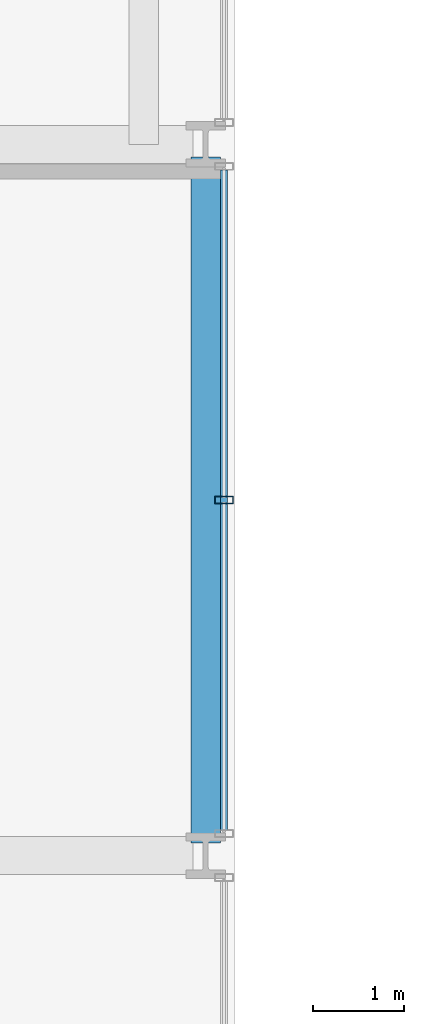
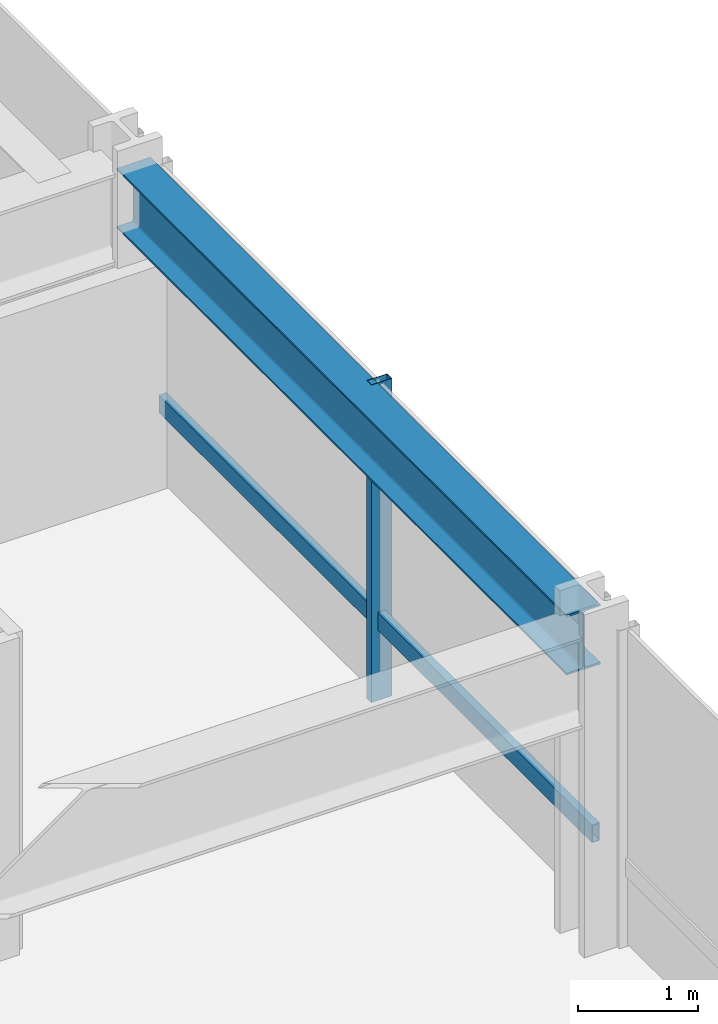
# One storey, part 14 of 37: 2 members, 1 beam, 1 element without a shape of its own.
"""IFC4 building model written with IfcOpenShell, lengths in metres."""

import ifcopenshell
import ifcopenshell.guid

model = None  # the IFC model being written
_history = None  # IfcOwnerHistory: only IFC2X3 demands one
_inside = {}  # id of a spatial element -> (the spatial element, [elements in it])
_under = {}  # id of a project, library or spatial element -> (it, [spatial elements below it])
_declared = {}  # id of a project -> (the project, [libraries it declares])
_typed = {}  # id of a type object -> (the type object, [elements of that type])
_made_of = {}  # id of a material, layer set ... -> (it, [elements and type objects made of it])


def new_model(schema):
    """Start an empty IFC model of exactly this schema.

    Asked for "IFC4X3", IfcOpenShell would pick the latest addendum, in which some entities
    have other attributes; the version numbers below select the first issue.
    IFC2X3 requires an IfcOwnerHistory on every rooted entity: one is made here for all.
    """
    global model, _history
    if schema == "IFC4X3":
        model = ifcopenshell.file(schema_version=(4, 3, 0, 0))
    else:
        model = ifcopenshell.file(schema=schema)
    _inside.clear()
    _under.clear()
    _declared.clear()
    _typed.clear()
    _made_of.clear()
    _history = None
    if model.schema == "IFC2X3":
        org = make("IfcOrganization", Name="unknown")
        user = make(
            "IfcPersonAndOrganization",
            ThePerson=make("IfcPerson", FamilyName="unknown"),
            TheOrganization=org,
        )
        app = make(
            "IfcApplication",
            ApplicationDeveloper=org,
            Version="unknown",
            ApplicationFullName="unknown",
            ApplicationIdentifier="unknown",
        )
        _history = make(
            "IfcOwnerHistory",
            OwningUser=user,
            OwningApplication=app,
            ChangeAction="ADDED",
            CreationDate=0,
        )
    return model


def make(cls, **values):
    """One entity of the class cls with the attributes given. An attribute that is None is left unset."""
    return model.create_entity(
        cls, **{name: value for name, value in values.items() if value is not None}
    )


def rooted(cls, **values):
    """An entity with a GlobalId (a new one), such as an element, a storey or a relation."""
    return make(cls, GlobalId=ifcopenshell.guid.new(), OwnerHistory=_history, **values)


def si_unit(unit_type, name, prefix=None):
    """IfcSIUnit, for example si_unit("LENGTHUNIT", "METRE", prefix="MILLI")."""
    return make("IfcSIUnit", UnitType=unit_type, Prefix=prefix, Name=name)


def assignment(units):
    """IfcUnitAssignment: the units of a project."""
    return None if units is None else make("IfcUnitAssignment", Units=units)


def point(xyz):
    """IfcCartesianPoint."""
    return None if xyz is None else make("IfcCartesianPoint", Coordinates=xyz)


def direction(xyz):
    """IfcDirection."""
    return None if xyz is None else make("IfcDirection", DirectionRatios=xyz)


def frame(location, z_axis=None, x_axis=None):
    """IfcAxis2Placement3D, a coordinate frame: its origin and axes. An axis left out is left unset."""
    return make(
        "IfcAxis2Placement3D",
        Location=point(location),
        Axis=direction(z_axis),
        RefDirection=direction(x_axis),
    )


def frame_2d(location, x_axis=None):
    """IfcAxis2Placement2D, a coordinate frame in the plane: its origin and x axis."""
    return make(
        "IfcAxis2Placement2D", Location=point(location), RefDirection=direction(x_axis)
    )


def origin():
    """The frame at (0, 0, 0) with its axes left unset."""
    return frame((0.0, 0.0, 0.0))


def origin_2d():
    """The frame at (0, 0) in the plane with its x axis left unset."""
    return frame_2d((0.0, 0.0))


def place(relative_to, where):
    """IfcLocalPlacement: puts the frame where relative to a parent placement (None: the world)."""
    return make(
        "IfcLocalPlacement", PlacementRelTo=relative_to, RelativePlacement=where
    )


def context(
    kind, dimensions, precision=None, world=None, true_north=None, identifier=None
):
    """IfcGeometricRepresentationContext, for example the 3D "Model" context."""
    return make(
        "IfcGeometricRepresentationContext",
        ContextIdentifier=identifier,
        ContextType=kind,
        CoordinateSpaceDimension=dimensions,
        Precision=precision,
        WorldCoordinateSystem=world,
        TrueNorth=true_north,
    )


def subcontext(parent, identifier, kind, view, scale=None):
    """IfcGeometricRepresentationSubContext, for example "Body" below "Model"."""
    return make(
        "IfcGeometricRepresentationSubContext",
        ContextIdentifier=identifier,
        ContextType=kind,
        ParentContext=parent,
        TargetScale=scale,
        TargetView=view,
    )


def project(units=None, contexts=None):
    """IfcProject with its units and contexts."""
    return rooted(
        "IfcProject",
        Name="project",
        RepresentationContexts=contexts,
        UnitsInContext=assignment(units),
    )


def spatial(cls, under=None, at=None, **own):
    """A site, building, storey or space (cls), placed at a placement, below another one or the project."""
    s = rooted(cls, ObjectPlacement=at, **own)
    if under is not None:
        _under.setdefault(under.id(), (under, []))[1].append(s)
    return s


def profile(cls, at=None, kind="AREA", **sizes):
    """A parametric profile (cls). Its sizes go by their IFC names, for example OverallWidth=200.0."""
    return make(cls, ProfileType=kind, Position=at, **sizes)


def hollow_rectangle(**sizes):
    """IfcRectangleHollowProfileDef."""
    return profile("IfcRectangleHollowProfileDef", **sizes)


def i_section(**sizes):
    """IfcIShapeProfileDef."""
    return profile("IfcIShapeProfileDef", **sizes)


def extrude(swept, where, along, depth):
    """IfcExtrudedAreaSolid: the profile swept, set in the frame where, extruded along a direction by depth."""
    return make(
        "IfcExtrudedAreaSolid",
        SweptArea=swept,
        Position=where,
        ExtrudedDirection=direction(along),
        Depth=depth,
    )


def shape(context_of_items, identifier, shape_type, items):
    """IfcShapeRepresentation: the items that make up one representation, for example the "Body"."""
    return make(
        "IfcShapeRepresentation",
        ContextOfItems=context_of_items,
        RepresentationIdentifier=identifier,
        RepresentationType=shape_type,
        Items=items,
    )


def material(Name=None, Category=None):
    """IfcMaterial."""
    return make("IfcMaterial", Name=Name, Category=Category)


def layer(
    of_material, thickness, ventilated=None, Name=None, Category=None, Priority=None
):
    """IfcMaterialLayer: one layer of a wall or slab, of a material (None: an air gap)."""
    return make(
        "IfcMaterialLayer",
        Material=of_material,
        LayerThickness=thickness,
        IsVentilated=ventilated,
        Name=Name,
        Category=Category,
        Priority=Priority,
    )


def layer_set(layers, Name=None):
    """IfcMaterialLayerSet."""
    return make("IfcMaterialLayerSet", MaterialLayers=layers, LayerSetName=Name)


def material_profile(
    of_material, cross_section, Name=None, Category=None, Priority=None
):
    """IfcMaterialProfile: a cross section and its material."""
    return make(
        "IfcMaterialProfile",
        Name=Name,
        Material=of_material,
        Profile=cross_section,
        Priority=Priority,
        Category=Category,
    )


def profile_set(profiles, Name=None, composite=None):
    """IfcMaterialProfileSet."""
    return make(
        "IfcMaterialProfileSet",
        Name=Name,
        MaterialProfiles=profiles,
        CompositeProfile=composite,
    )


def made_of(thing, what):
    """Note that an element or type object is made of a material, layer set ...; save() writes the relation."""
    if what is not None:
        _made_of.setdefault(what.id(), (what, []))[1].append(thing)
    return thing


def type_object(cls, material=None, **own):
    """A type object (cls), such as IfcWallType, which elements share."""
    return made_of(rooted(cls, **own), material)


def element(
    cls,
    number,
    at=None,
    inside=None,
    cuts=None,
    type_object=None,
    material=None,
    context=None,
    identifier="Body",
    shape_type=None,
    held_by="IfcProductDefinitionShape",
    body=None,
    shapes=None,
    **own,
):
    """One element of the class cls, such as IfcWall. Its Tag is "e" and its number.

    at: its placement. inside: the storey or other place that contains it. cuts: it is an
    opening in that element (IfcRelVoidsElement). A single representation is given by context,
    identifier, shape_type and body (its items); several are given by shapes. held_by: the class
    of the entity that holds the representations. save() writes the other relations.
    """
    e = rooted(cls, Tag="e%d" % number, ObjectPlacement=at, **own)
    if body is not None:
        shapes = [shape(context, identifier, shape_type, body)]
    if shapes is not None:
        e.Representation = make(held_by, Representations=shapes)
    if inside is not None:
        _inside.setdefault(inside.id(), (inside, []))[1].append(e)
    if cuts is not None:
        rooted(
            "IfcRelVoidsElement", RelatingBuildingElement=cuts, RelatedOpeningElement=e
        )
    if type_object is not None:
        _typed.setdefault(type_object.id(), (type_object, []))[1].append(e)
    return made_of(e, material)


def aggregate(whole, parts):
    """IfcRelAggregates: a whole, such as a stair, and the parts it consists of."""
    return rooted("IfcRelAggregates", RelatingObject=whole, RelatedObjects=parts)


def save(model, path):
    """Write the relations noted so far, then the file.

    IfcRelAggregates (storeys below a building ...), IfcRelContainedInSpatialStructure (elements
    in a storey), IfcRelDefinesByType, IfcRelAssociatesMaterial and IfcRelDeclares: one each for
    every whole, place, type object, material and project.
    """
    for whole, parts in _under.values():
        aggregate(whole, parts)
    for where, things in _inside.values():
        rooted(
            "IfcRelContainedInSpatialStructure",
            RelatedElements=things,
            RelatingStructure=where,
        )
    for kind, things in _typed.values():
        rooted("IfcRelDefinesByType", RelatedObjects=things, RelatingType=kind)
    for what, things in _made_of.values():
        rooted("IfcRelAssociatesMaterial", RelatedObjects=things, RelatingMaterial=what)
    for by, libraries in _declared.values():
        rooted("IfcRelDeclares", RelatingContext=by, RelatedDefinitions=libraries)
    model.write(path)


model = new_model("IFC4")

# Units and contexts
model_context = context("Model", 3, precision=1e-05, world=origin(), true_north=direction((0.0, 1.0)))
body_context = subcontext(model_context, "Body", "Model", "MODEL_VIEW")
ifc_project = project(units=[si_unit("LENGTHUNIT", "METRE"), si_unit("AREAUNIT", "SQUARE_METRE"), si_unit("VOLUMEUNIT", "CUBIC_METRE"), si_unit("PLANEANGLEUNIT", "RADIAN"), si_unit("MASSUNIT", "GRAM", prefix="KILO")], contexts=[model_context])

# Site, building, storey
site_placement = place(None, origin())
site = spatial("IfcSite", under=ifc_project, at=site_placement, CompositionType="ELEMENT")
building_placement = place(site_placement, origin())
building = spatial("IfcBuilding", under=site, at=building_placement, Name="Drelvath Grand Hotel", CompositionType="ELEMENT")
storey_placement = place(building_placement, frame((0.0, 0.0, 43.699951171875)))
storey = spatial("IfcBuildingStorey", under=building, at=storey_placement, Name="L09", CompositionType="ELEMENT", Elevation=43.699951171875)

# Curtain wall, members
ifc_material_1 = material(Name="Warm Bronze Anodised Aluminium Frame", Category="aluminium")
ifc_layer = layer(ifc_material_1, 0.199951171875)
ifc_layer_set = layer_set([ifc_layer], Name="Warm Bronze Anodised Aluminium Frame")
curtain_wall_type = type_object("IfcCurtainWallType", Name="Stick Curtain Wall CW-02 Warm Bronze Low-Rise", PredefinedType="NOTDEFINED", material=ifc_layer_set)
curtain_wall_placement = place(storey_placement, origin())
curtain_wall = element("IfcCurtainWall", 1, at=curtain_wall_placement, inside=storey, type_object=curtain_wall_type, Name="L09 CW-02 Curtain Wall CW02-L09-ES2", PredefinedType="NOTDEFINED")
ifc_material_profile_1 = material_profile(ifc_material_1, hollow_rectangle(XDim=0.074951171875, YDim=0.179931640625, WallThickness=0.0048828125, at=origin_2d()), Name="HSS180X75X5")
ifc_profile_set_1 = profile_set([ifc_material_profile_1], Name="Warm Bronze Anodised Aluminium Frame")
member_type_1 = type_object("IfcMemberType", Name="Curtain Wall Horizontal Transom CW-02 HSS180X75X5", PredefinedType="USERDEFINED", material=ifc_profile_set_1)
member_1_placement = place(storey_placement, frame((26.8798828125, 18.319091796875, 0.81005859375), z_axis=(0.0, -1.0, 0.0), x_axis=(1.0, 0.0, 0.0)))
member_1 = element("IfcMember", 2, at=member_1_placement, type_object=member_type_1, Name="CW02-L09-ES2 Sill Transom", ObjectType="TRANSOM", PredefinedType="USERDEFINED", context=body_context, shape_type="SweptSolid", body=[
    extrude(hollow_rectangle(XDim=0.074951171875, YDim=0.179931640625, WallThickness=0.0048828125, at=origin_2d()), origin(), (0.0, 0.0, 1.0), 7.23828125),
])
ifc_material_profile_2 = material_profile(ifc_material_1, hollow_rectangle(XDim=0.080078125, YDim=0.199951171875, WallThickness=0.0048828125, at=origin_2d()), Name="HSS200X80X5")
ifc_profile_set_2 = profile_set([ifc_material_profile_2], Name="Warm Bronze Anodised Aluminium Frame")
member_type_2 = type_object("IfcMemberType", Name="Curtain Wall Vertical Mullion CW-02 HSS200X80X5", PredefinedType="MULLION", material=ifc_profile_set_2)
member_2_placement = place(storey_placement, frame((26.8798828125, 14.699951171875, 0.0), z_axis=(0.0, 0.0, 1.0), x_axis=(0.0, 1.0, 0.0)))
member_2 = element("IfcMember", 3, at=member_2_placement, type_object=member_type_2, Name="CW02-L09-ES2 Mullion 2", PredefinedType="MULLION", context=body_context, shape_type="SweptSolid", body=[
    extrude(hollow_rectangle(XDim=0.080078125, YDim=0.199951171875, WallThickness=0.0048828125, at=origin_2d()), origin(), (0.0, 0.0, 1.0), 3.239990234375),
])
aggregate(curtain_wall, [member_2, member_1])

# Beam
ifc_material_2 = material(Name="Steel ASTM A992 Gr 50", Category="steel")
ifc_material_profile_3 = material_profile(ifc_material_2, i_section(OverallWidth=0.323974609375, OverallDepth=0.611083984375, WebThickness=0.0126953125, FlangeThickness=0.01904296875, FilletRadius=0.02197265625, at=origin_2d()), Name="W24X104")
ifc_profile_set_3 = profile_set([ifc_material_profile_3], Name="Steel ASTM A992 Gr 50")
beam_type = type_object("IfcBeamType", Name="Perimeter Spandrel Beam W24X104", PredefinedType="SPANDREL", material=ifc_profile_set_3)
beam_placement = place(storey_placement, frame((26.679931640625, 10.93994140625, 2.9345703125), z_axis=(0.0, 1.0, 0.0), x_axis=(-1.0, 0.0, 0.0)))
element("IfcBeam", 4, at=beam_placement, inside=storey, type_object=beam_type, Name="L09 Spandrel East S", PredefinedType="SPANDREL", context=body_context, shape_type="SweptSolid", body=[
    extrude(i_section(OverallWidth=0.323974609375, OverallDepth=0.611083984375, WebThickness=0.0126953125, FlangeThickness=0.01904296875, FilletRadius=0.02197265625, at=origin_2d()), origin(), (0.0, 0.0, 1.0), 7.52001953125),
])

save(model, "model.ifc")
